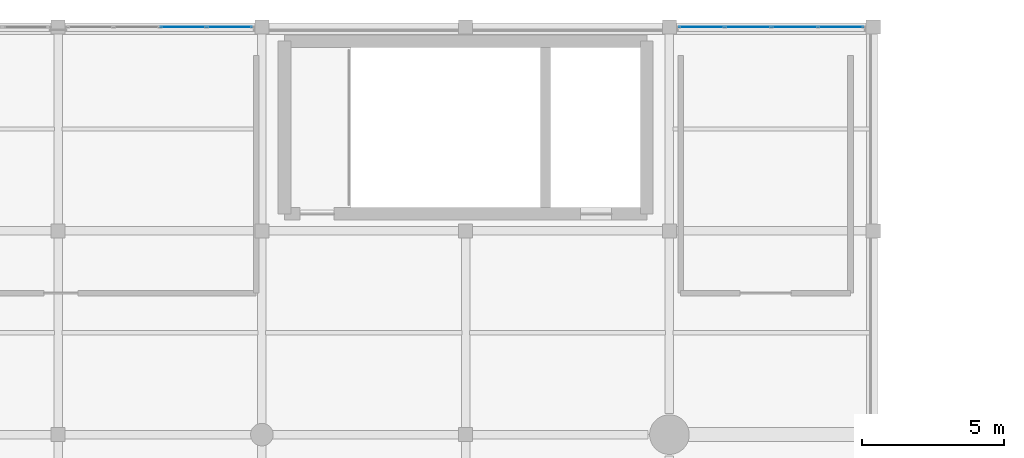
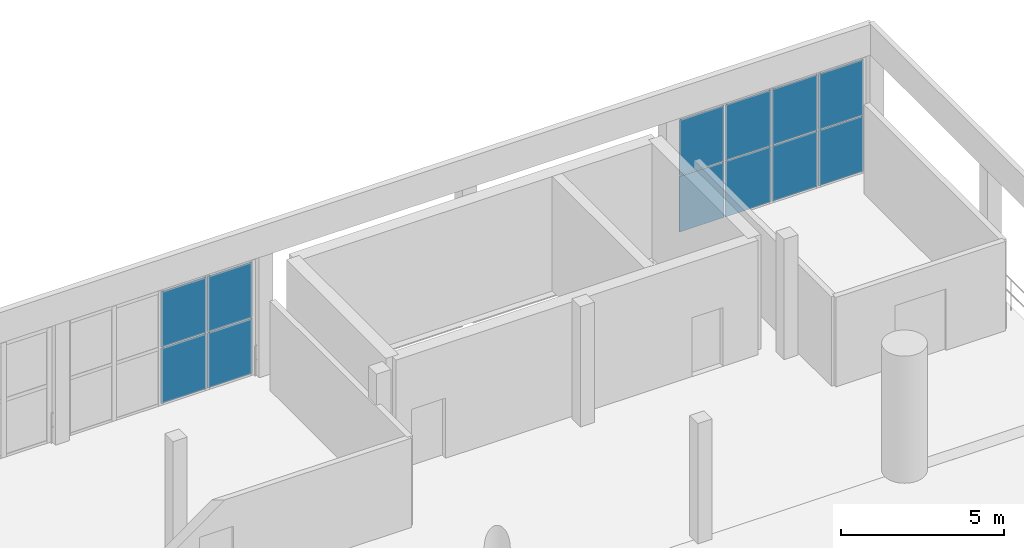
# One storey, part 42 of 64: 12 plates, 2 elements without a shape of their own.
"""IFC4 building model written with IfcOpenShell, lengths in metres."""

from ifc_helpers import new_model, si_unit, direction, frame, origin, origin_2d, place, context, subcontext, project, spatial, rectangle, extrude, material, layer, layer_set, type_object, element, aggregate, save


model = new_model("IFC4")

# Units and contexts
model_context = context("Model", 3, precision=1e-05, world=origin(), true_north=direction((0.0, 1.0)))
body_context = subcontext(model_context, "Body", "Model", "MODEL_VIEW")
ifc_project = project(units=[si_unit("LENGTHUNIT", "METRE"), si_unit("AREAUNIT", "SQUARE_METRE"), si_unit("VOLUMEUNIT", "CUBIC_METRE"), si_unit("PLANEANGLEUNIT", "RADIAN"), si_unit("MASSUNIT", "GRAM", prefix="KILO")], contexts=[model_context])

# Site, building, storey
site_placement = place(None, origin())
site = spatial("IfcSite", under=ifc_project, at=site_placement, CompositionType="ELEMENT")
building_placement = place(site_placement, origin())
building = spatial("IfcBuilding", under=site, at=building_placement, Name="Qandorah Velis Arena", CompositionType="ELEMENT")
storey_placement = place(building_placement, frame((0.0, 0.0, 23.0)))
storey = spatial("IfcBuildingStorey", under=building, at=storey_placement, Name="L05", CompositionType="ELEMENT", Elevation=23.0)

# Curtain wall, plates
ifc_material = material(Name="Solar-control low-E double glazing", Category="glass")
curtain_wall_type_1 = type_object("IfcCurtainWallType", Name="ARC-CW-SYS08", PredefinedType="USERDEFINED", material=ifc_material)
curtain_wall_1_placement = place(storey_placement, origin())
curtain_wall_1 = element("IfcCurtainWall", 1, at=curtain_wall_1_placement, inside=storey, type_object=curtain_wall_type_1, Name="Unitised curtain wall L05-104", ObjectType="UNITISED CURTAIN WALL", PredefinedType="USERDEFINED")
ifc_layer_1 = layer(ifc_material, 0.02392578125)
ifc_layer_set_1 = layer_set([ifc_layer_1], Name="Solar-control low-E double glazing")
plate_type_1 = type_object("IfcPlateType", Name="ARC-CWP-GLZ24", PredefinedType="CURTAIN_PANEL", material=ifc_layer_set_1)
plate_1_placement = place(storey_placement, frame((87.538818359375, 129.60009765625, 0.044921875), z_axis=(0.0, 0.0, 1.0), x_axis=(1.0, 0.0, 0.0)))
plate_1 = element("IfcPlate", 2, at=plate_1_placement, type_object=plate_type_1, Name="CW08 panel 1.1", PredefinedType="CURTAIN_PANEL", context=body_context, shape_type="SweptSolid", body=[
    extrude(rectangle(XDim=1.58740234375, YDim=0.02392578125, at=origin_2d()), origin(), (0.0, 0.0, 1.0), 2.077392578125),
])
plate_2_placement = place(storey_placement, frame((87.538818359375, 129.60009765625, 2.15771484375), z_axis=(0.0, 0.0, 1.0), x_axis=(1.0, 0.0, 0.0)))
plate_2 = element("IfcPlate", 3, at=plate_2_placement, type_object=plate_type_1, Name="CW08 panel 1.2", PredefinedType="CURTAIN_PANEL", context=body_context, shape_type="SweptSolid", body=[
    extrude(rectangle(XDim=1.58740234375, YDim=0.02392578125, at=origin_2d()), origin(), (0.0, 0.0, 1.0), 2.077392578125),
])
plate_3_placement = place(storey_placement, frame((89.175048828125, 129.60009765625, 0.044921875), z_axis=(0.0, 0.0, 1.0), x_axis=(1.0, 0.0, 0.0)))
plate_3 = element("IfcPlate", 4, at=plate_3_placement, type_object=plate_type_1, Name="CW08 panel 2.1", PredefinedType="CURTAIN_PANEL", context=body_context, shape_type="SweptSolid", body=[
    extrude(rectangle(XDim=1.614990234375, YDim=0.02392578125, at=origin_2d()), origin(), (0.0, 0.0, 1.0), 2.077392578125),
])
plate_4_placement = place(storey_placement, frame((89.175048828125, 129.60009765625, 2.15771484375), z_axis=(0.0, 0.0, 1.0), x_axis=(1.0, 0.0, 0.0)))
plate_4 = element("IfcPlate", 5, at=plate_4_placement, type_object=plate_type_1, Name="CW08 panel 2.2", PredefinedType="CURTAIN_PANEL", context=body_context, shape_type="SweptSolid", body=[
    extrude(rectangle(XDim=1.614990234375, YDim=0.02392578125, at=origin_2d()), origin(), (0.0, 0.0, 1.0), 2.077392578125),
])
plate_5_placement = place(storey_placement, frame((90.824951171875, 129.60009765625, 0.044921875), z_axis=(0.0, 0.0, 1.0), x_axis=(1.0, 0.0, 0.0)))
plate_5 = element("IfcPlate", 6, at=plate_5_placement, type_object=plate_type_1, Name="CW08 panel 3.1", PredefinedType="CURTAIN_PANEL", context=body_context, shape_type="SweptSolid", body=[
    extrude(rectangle(XDim=1.614990234375, YDim=0.02392578125, at=origin_2d()), origin(), (0.0, 0.0, 1.0), 2.077392578125),
])
plate_6_placement = place(storey_placement, frame((90.824951171875, 129.60009765625, 2.15771484375), z_axis=(0.0, 0.0, 1.0), x_axis=(1.0, 0.0, 0.0)))
plate_6 = element("IfcPlate", 7, at=plate_6_placement, type_object=plate_type_1, Name="CW08 panel 3.2", PredefinedType="CURTAIN_PANEL", context=body_context, shape_type="SweptSolid", body=[
    extrude(rectangle(XDim=1.614990234375, YDim=0.02392578125, at=origin_2d()), origin(), (0.0, 0.0, 1.0), 2.077392578125),
])
plate_7_placement = place(storey_placement, frame((92.461181640625, 129.60009765625, 0.044921875), z_axis=(0.0, 0.0, 1.0), x_axis=(1.0, 0.0, 0.0)))
plate_7 = element("IfcPlate", 8, at=plate_7_placement, type_object=plate_type_1, Name="CW08 panel 4.1", PredefinedType="CURTAIN_PANEL", context=body_context, shape_type="SweptSolid", body=[
    extrude(rectangle(XDim=1.58740234375, YDim=0.02392578125, at=origin_2d()), origin(), (0.0, 0.0, 1.0), 2.077392578125),
])
plate_8_placement = place(storey_placement, frame((92.461181640625, 129.60009765625, 2.15771484375), z_axis=(0.0, 0.0, 1.0), x_axis=(1.0, 0.0, 0.0)))
plate_8 = element("IfcPlate", 9, at=plate_8_placement, type_object=plate_type_1, Name="CW08 panel 4.2", PredefinedType="CURTAIN_PANEL", context=body_context, shape_type="SweptSolid", body=[
    extrude(rectangle(XDim=1.58740234375, YDim=0.02392578125, at=origin_2d()), origin(), (0.0, 0.0, 1.0), 2.077392578125),
])
aggregate(curtain_wall_1, [plate_1, plate_2, plate_3, plate_4, plate_5, plate_6, plate_7, plate_8])

curtain_wall_type_2 = type_object("IfcCurtainWallType", Name="ARC-CW-SYS07", PredefinedType="USERDEFINED", material=ifc_material)
curtain_wall_2_placement = place(storey_placement, origin())
curtain_wall_2 = element("IfcCurtainWall", 10, at=curtain_wall_2_placement, inside=storey, type_object=curtain_wall_type_2, Name="Unitised curtain wall L05-103", ObjectType="UNITISED CURTAIN WALL", PredefinedType="USERDEFINED")
ifc_layer_2 = layer(ifc_material, 0.028076171875)
ifc_layer_set_2 = layer_set([ifc_layer_2], Name="Solar-control low-E double glazing")
plate_type_2 = type_object("IfcPlateType", Name="ARC-CWP-GLZ28", PredefinedType="CURTAIN_PANEL", material=ifc_layer_set_2)
plate_9_placement = place(storey_placement, frame((69.22509765625, 129.60009765625, 0.0498046875), z_axis=(0.0, 0.0, 1.0), x_axis=(1.0, 0.0, 0.0)))
plate_9 = element("IfcPlate", 11, at=plate_9_placement, type_object=plate_type_2, Name="CW07 panel 3.1", PredefinedType="CURTAIN_PANEL", context=body_context, shape_type="SweptSolid", body=[
    extrude(rectangle(XDim=1.610107421875, YDim=0.028076171875, at=origin_2d()), origin(), (0.0, 0.0, 1.0), 2.070068359375),
])
plate_10_placement = place(storey_placement, frame((69.22509765625, 129.60009765625, 2.16015625), z_axis=(0.0, 0.0, 1.0), x_axis=(1.0, 0.0, 0.0)))
plate_10 = element("IfcPlate", 12, at=plate_10_placement, type_object=plate_type_2, Name="CW07 panel 3.2", PredefinedType="CURTAIN_PANEL", context=body_context, shape_type="SweptSolid", body=[
    extrude(rectangle(XDim=1.610107421875, YDim=0.028076171875, at=origin_2d()), origin(), (0.0, 0.0, 1.0), 2.070068359375),
])
plate_11_placement = place(storey_placement, frame((70.860107421875, 129.60009765625, 0.0498046875), z_axis=(0.0, 0.0, 1.0), x_axis=(1.0, 0.0, 0.0)))
plate_11 = element("IfcPlate", 13, at=plate_11_placement, type_object=plate_type_2, Name="CW07 panel 4.1", PredefinedType="CURTAIN_PANEL", context=body_context, shape_type="SweptSolid", body=[
    extrude(rectangle(XDim=1.580078125, YDim=0.028076171875, at=origin_2d()), origin(), (0.0, 0.0, 1.0), 2.070068359375),
])
plate_12_placement = place(storey_placement, frame((70.860107421875, 129.60009765625, 2.16015625), z_axis=(0.0, 0.0, 1.0), x_axis=(1.0, 0.0, 0.0)))
plate_12 = element("IfcPlate", 14, at=plate_12_placement, type_object=plate_type_2, Name="CW07 panel 4.2", PredefinedType="CURTAIN_PANEL", context=body_context, shape_type="SweptSolid", body=[
    extrude(rectangle(XDim=1.580078125, YDim=0.028076171875, at=origin_2d()), origin(), (0.0, 0.0, 1.0), 2.070068359375),
])
aggregate(curtain_wall_2, [plate_9, plate_10, plate_11, plate_12])

save(model, "model.ifc")
